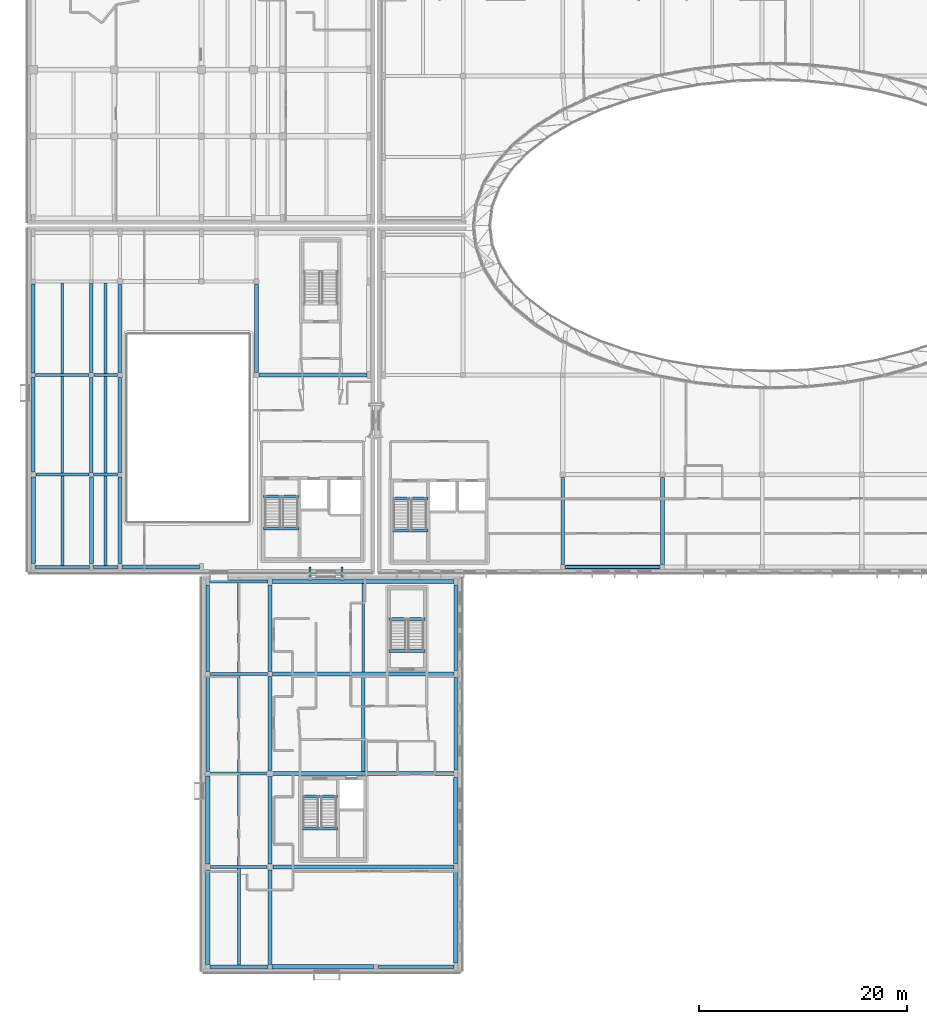
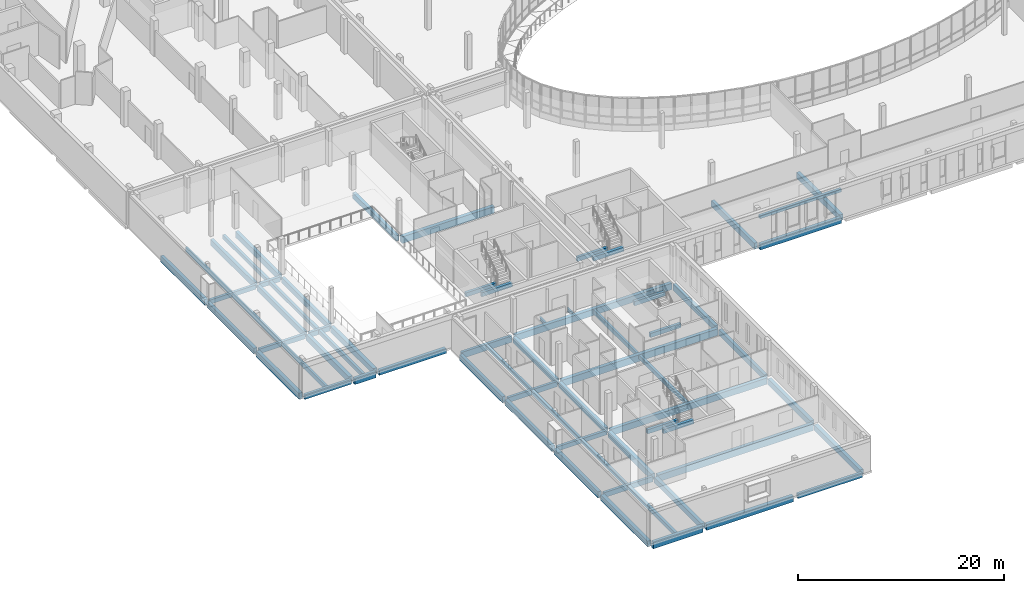
# One storey, part 10 of 84: 67 beams.
"""IFC4 building model written with IfcOpenShell, lengths in metres."""

import ifcopenshell
import ifcopenshell.guid

model = None  # the IFC model being written
_history = None  # IfcOwnerHistory: only IFC2X3 demands one
_inside = {}  # id of a spatial element -> (the spatial element, [elements in it])
_under = {}  # id of a project, library or spatial element -> (it, [spatial elements below it])
_declared = {}  # id of a project -> (the project, [libraries it declares])
_typed = {}  # id of a type object -> (the type object, [elements of that type])
_made_of = {}  # id of a material, layer set ... -> (it, [elements and type objects made of it])


def new_model(schema):
    """Start an empty IFC model of exactly this schema.

    Asked for "IFC4X3", IfcOpenShell would pick the latest addendum, in which some entities
    have other attributes; the version numbers below select the first issue.
    IFC2X3 requires an IfcOwnerHistory on every rooted entity: one is made here for all.
    """
    global model, _history
    if schema == "IFC4X3":
        model = ifcopenshell.file(schema_version=(4, 3, 0, 0))
    else:
        model = ifcopenshell.file(schema=schema)
    _inside.clear()
    _under.clear()
    _declared.clear()
    _typed.clear()
    _made_of.clear()
    _history = None
    if model.schema == "IFC2X3":
        org = make("IfcOrganization", Name="unknown")
        user = make(
            "IfcPersonAndOrganization",
            ThePerson=make("IfcPerson", FamilyName="unknown"),
            TheOrganization=org,
        )
        app = make(
            "IfcApplication",
            ApplicationDeveloper=org,
            Version="unknown",
            ApplicationFullName="unknown",
            ApplicationIdentifier="unknown",
        )
        _history = make(
            "IfcOwnerHistory",
            OwningUser=user,
            OwningApplication=app,
            ChangeAction="ADDED",
            CreationDate=0,
        )
    return model


def make(cls, **values):
    """One entity of the class cls with the attributes given. An attribute that is None is left unset."""
    return model.create_entity(
        cls, **{name: value for name, value in values.items() if value is not None}
    )


def rooted(cls, **values):
    """An entity with a GlobalId (a new one), such as an element, a storey or a relation."""
    return make(cls, GlobalId=ifcopenshell.guid.new(), OwnerHistory=_history, **values)


def si_unit(unit_type, name, prefix=None):
    """IfcSIUnit, for example si_unit("LENGTHUNIT", "METRE", prefix="MILLI")."""
    return make("IfcSIUnit", UnitType=unit_type, Prefix=prefix, Name=name)


def assignment(units):
    """IfcUnitAssignment: the units of a project."""
    return None if units is None else make("IfcUnitAssignment", Units=units)


def point(xyz):
    """IfcCartesianPoint."""
    return None if xyz is None else make("IfcCartesianPoint", Coordinates=xyz)


def direction(xyz):
    """IfcDirection."""
    return None if xyz is None else make("IfcDirection", DirectionRatios=xyz)


def frame(location, z_axis=None, x_axis=None):
    """IfcAxis2Placement3D, a coordinate frame: its origin and axes. An axis left out is left unset."""
    return make(
        "IfcAxis2Placement3D",
        Location=point(location),
        Axis=direction(z_axis),
        RefDirection=direction(x_axis),
    )


def frame_2d(location, x_axis=None):
    """IfcAxis2Placement2D, a coordinate frame in the plane: its origin and x axis."""
    return make(
        "IfcAxis2Placement2D", Location=point(location), RefDirection=direction(x_axis)
    )


def origin():
    """The frame at (0, 0, 0) with its axes left unset."""
    return frame((0.0, 0.0, 0.0))


def origin_2d():
    """The frame at (0, 0) in the plane with its x axis left unset."""
    return frame_2d((0.0, 0.0))


def place(relative_to, where):
    """IfcLocalPlacement: puts the frame where relative to a parent placement (None: the world)."""
    return make(
        "IfcLocalPlacement", PlacementRelTo=relative_to, RelativePlacement=where
    )


def context(
    kind, dimensions, precision=None, world=None, true_north=None, identifier=None
):
    """IfcGeometricRepresentationContext, for example the 3D "Model" context."""
    return make(
        "IfcGeometricRepresentationContext",
        ContextIdentifier=identifier,
        ContextType=kind,
        CoordinateSpaceDimension=dimensions,
        Precision=precision,
        WorldCoordinateSystem=world,
        TrueNorth=true_north,
    )


def subcontext(parent, identifier, kind, view, scale=None):
    """IfcGeometricRepresentationSubContext, for example "Body" below "Model"."""
    return make(
        "IfcGeometricRepresentationSubContext",
        ContextIdentifier=identifier,
        ContextType=kind,
        ParentContext=parent,
        TargetScale=scale,
        TargetView=view,
    )


def project(units=None, contexts=None):
    """IfcProject with its units and contexts."""
    return rooted(
        "IfcProject",
        Name="project",
        RepresentationContexts=contexts,
        UnitsInContext=assignment(units),
    )


def spatial(cls, under=None, at=None, **own):
    """A site, building, storey or space (cls), placed at a placement, below another one or the project."""
    s = rooted(cls, ObjectPlacement=at, **own)
    if under is not None:
        _under.setdefault(under.id(), (under, []))[1].append(s)
    return s


def profile(cls, at=None, kind="AREA", **sizes):
    """A parametric profile (cls). Its sizes go by their IFC names, for example OverallWidth=200.0."""
    return make(cls, ProfileType=kind, Position=at, **sizes)


def rectangle(**sizes):
    """IfcRectangleProfileDef."""
    return profile("IfcRectangleProfileDef", **sizes)


def i_section(**sizes):
    """IfcIShapeProfileDef."""
    return profile("IfcIShapeProfileDef", **sizes)


def extrude(swept, where, along, depth):
    """IfcExtrudedAreaSolid: the profile swept, set in the frame where, extruded along a direction by depth."""
    return make(
        "IfcExtrudedAreaSolid",
        SweptArea=swept,
        Position=where,
        ExtrudedDirection=direction(along),
        Depth=depth,
    )


def shape(context_of_items, identifier, shape_type, items):
    """IfcShapeRepresentation: the items that make up one representation, for example the "Body"."""
    return make(
        "IfcShapeRepresentation",
        ContextOfItems=context_of_items,
        RepresentationIdentifier=identifier,
        RepresentationType=shape_type,
        Items=items,
    )


def material(Name=None, Category=None):
    """IfcMaterial."""
    return make("IfcMaterial", Name=Name, Category=Category)


def material_profile(
    of_material, cross_section, Name=None, Category=None, Priority=None
):
    """IfcMaterialProfile: a cross section and its material."""
    return make(
        "IfcMaterialProfile",
        Name=Name,
        Material=of_material,
        Profile=cross_section,
        Priority=Priority,
        Category=Category,
    )


def profile_set(profiles, Name=None, composite=None):
    """IfcMaterialProfileSet."""
    return make(
        "IfcMaterialProfileSet",
        Name=Name,
        MaterialProfiles=profiles,
        CompositeProfile=composite,
    )


def made_of(thing, what):
    """Note that an element or type object is made of a material, layer set ...; save() writes the relation."""
    if what is not None:
        _made_of.setdefault(what.id(), (what, []))[1].append(thing)
    return thing


def type_object(cls, material=None, **own):
    """A type object (cls), such as IfcWallType, which elements share."""
    return made_of(rooted(cls, **own), material)


def element(
    cls,
    number,
    at=None,
    inside=None,
    cuts=None,
    type_object=None,
    material=None,
    context=None,
    identifier="Body",
    shape_type=None,
    held_by="IfcProductDefinitionShape",
    body=None,
    shapes=None,
    **own,
):
    """One element of the class cls, such as IfcWall. Its Tag is "e" and its number.

    at: its placement. inside: the storey or other place that contains it. cuts: it is an
    opening in that element (IfcRelVoidsElement). A single representation is given by context,
    identifier, shape_type and body (its items); several are given by shapes. held_by: the class
    of the entity that holds the representations. save() writes the other relations.
    """
    e = rooted(cls, Tag="e%d" % number, ObjectPlacement=at, **own)
    if body is not None:
        shapes = [shape(context, identifier, shape_type, body)]
    if shapes is not None:
        e.Representation = make(held_by, Representations=shapes)
    if inside is not None:
        _inside.setdefault(inside.id(), (inside, []))[1].append(e)
    if cuts is not None:
        rooted(
            "IfcRelVoidsElement", RelatingBuildingElement=cuts, RelatedOpeningElement=e
        )
    if type_object is not None:
        _typed.setdefault(type_object.id(), (type_object, []))[1].append(e)
    return made_of(e, material)


def aggregate(whole, parts):
    """IfcRelAggregates: a whole, such as a stair, and the parts it consists of."""
    return rooted("IfcRelAggregates", RelatingObject=whole, RelatedObjects=parts)


def save(model, path):
    """Write the relations noted so far, then the file.

    IfcRelAggregates (storeys below a building ...), IfcRelContainedInSpatialStructure (elements
    in a storey), IfcRelDefinesByType, IfcRelAssociatesMaterial and IfcRelDeclares: one each for
    every whole, place, type object, material and project.
    """
    for whole, parts in _under.values():
        aggregate(whole, parts)
    for where, things in _inside.values():
        rooted(
            "IfcRelContainedInSpatialStructure",
            RelatedElements=things,
            RelatingStructure=where,
        )
    for kind, things in _typed.values():
        rooted("IfcRelDefinesByType", RelatedObjects=things, RelatingType=kind)
    for what, things in _made_of.values():
        rooted("IfcRelAssociatesMaterial", RelatedObjects=things, RelatingMaterial=what)
    for by, libraries in _declared.values():
        rooted("IfcRelDeclares", RelatingContext=by, RelatedDefinitions=libraries)
    model.write(path)


model = new_model("IFC4")

# Units and contexts
model_context = context("Model", 3, precision=1e-05, world=origin(), true_north=direction((0.0, 1.0)))
body_context = subcontext(model_context, "Body", "Model", "MODEL_VIEW")
ifc_project = project(units=[si_unit("LENGTHUNIT", "METRE"), si_unit("AREAUNIT", "SQUARE_METRE"), si_unit("VOLUMEUNIT", "CUBIC_METRE"), si_unit("PLANEANGLEUNIT", "RADIAN"), si_unit("MASSUNIT", "GRAM", prefix="KILO")], contexts=[model_context])

# Site, building, storey
site_placement = place(None, origin())
site = spatial("IfcSite", under=ifc_project, at=site_placement, CompositionType="ELEMENT")
building_placement = place(site_placement, origin())
building = spatial("IfcBuilding", under=site, at=building_placement, Name="Mzevani Central Library", CompositionType="ELEMENT")
storey_placement = place(building_placement, frame((0.0, 0.0, 5.39990234375)))
storey = spatial("IfcBuildingStorey", under=building, at=storey_placement, Name="L01", CompositionType="ELEMENT", Elevation=5.39990234375)

# Beams
ifc_material_1 = material(Name="Concrete C35/45", Category="concrete")
ifc_material_profile_1 = material_profile(ifc_material_1, rectangle(XDim=0.300048828125, YDim=0.5, at=origin_2d()), Name="RC B300x500")
ifc_profile_set_1 = profile_set([ifc_material_profile_1], Name="Concrete C35/45")
beam_type_1 = type_object("IfcBeamType", Name="Beam RC 300x500", PredefinedType="BEAM", material=ifc_profile_set_1)
beam_1_placement = place(storey_placement, frame((30.02490234375, 23.199951171875, -0.510009765625), z_axis=(1.0, 0.0, 0.0), x_axis=(0.0, 1.0, 0.0)))
element("IfcBeam", 1, at=beam_1_placement, inside=storey, type_object=beam_type_1, Name="L01 V4 Girder B-01 (812)", PredefinedType="BEAM", context=body_context, shape_type="SweptSolid", body=[
    extrude(rectangle(XDim=0.300048828125, YDim=0.5, at=origin_2d()), origin(), (0.0, 0.0, 1.0), 5.5751953125),
])
beam_2_placement = place(storey_placement, frame((13.199951171875, 61.60009765625, -0.510009765625), z_axis=(1.0, 0.0, 0.0), x_axis=(0.0, 1.0, 0.0)))
element("IfcBeam", 2, at=beam_2_placement, inside=storey, type_object=beam_type_1, Name="L01 V5 Girder B-01 (936)", PredefinedType="BEAM", context=body_context, shape_type="SweptSolid", body=[
    extrude(rectangle(XDim=0.300048828125, YDim=0.5, at=origin_2d()), origin(), (0.0, 0.0, 1.0), 5.150146484375),
])
for number, where, z_axis, x_axis, name in (
    (3, (47.580078125, 46.6201171875, 1.650146484375), (1.0, 0.0, 0.0), (0.0, 1.0, 0.0), "L01 Core C1A Reading Hall West Stair Landing Beam 1"),
    (4, (47.580078125, 49.699951171875, -0.25), (1.0, 0.0, 0.0), (0.0, 1.0, 0.0), "L01 Core C1A Reading Hall West Stair Opening Trimmer Beam"),
):
    element("IfcBeam", number, at=place(storey_placement, frame(where, z_axis=z_axis, x_axis=x_axis)), inside=storey, type_object=beam_type_1, Name=name, PredefinedType="BEAM", context=body_context, shape_type="SweptSolid", body=[
        extrude(rectangle(XDim=0.300048828125, YDim=0.5, at=origin_2d()), origin(), (0.0, 0.0, 1.0), 3.43994140625),
    ])
for number, where, z_axis, x_axis, name in (
    (5, (38.8798828125, 17.919921875, 1.650146484375), (1.0, 0.0, 0.0), (0.0, 1.0, 0.0), "L01 Core C4A Cultural Wing Core Stair Landing Beam 1"),
    (6, (38.8798828125, 21.0, -0.25), (1.0, 0.0, 0.0), (0.0, 1.0, 0.0), "L01 Core C4A Cultural Wing Core Stair Opening Trimmer Beam"),
):
    element("IfcBeam", number, at=place(storey_placement, frame(where, z_axis=z_axis, x_axis=x_axis)), inside=storey, type_object=beam_type_1, Name=name, PredefinedType="BEAM", context=body_context, shape_type="SweptSolid", body=[
        extrude(rectangle(XDim=0.300048828125, YDim=0.5, at=origin_2d()), origin(), (0.0, 0.0, 1.0), 3.440185546875),
    ])
for number, where, z_axis, x_axis, name in (
    (7, (47.280029296875, 38.080078125, 1.650146484375), (1.0, 0.0, 0.0), (0.0, 1.0, 0.0), "L01 Core C4B Square South Escape Stair Stair Landing Beam 1"),
    (8, (47.280029296875, 35.0, -0.25), (1.0, 0.0, 0.0), (0.0, 1.0, 0.0), "L01 Core C4B Square South Escape Stair Stair Opening Trimmer Beam"),
):
    element("IfcBeam", number, at=place(storey_placement, frame(where, z_axis=z_axis, x_axis=x_axis)), inside=storey, type_object=beam_type_1, Name=name, PredefinedType="BEAM", context=body_context, shape_type="SweptSolid", body=[
        extrude(rectangle(XDim=0.300048828125, YDim=0.5, at=origin_2d()), origin(), (0.0, 0.0, 1.0), 3.43994140625),
    ])
for number, where, z_axis, x_axis, name in (
    (9, (35.179931640625, 46.820068359375, 1.650146484375), (1.0, 0.0, 0.0), (0.0, 1.0, 0.0), "L01 Core C5A Auditorium & Goods Core Stair Landing Beam 1"),
    (10, (35.179931640625, 49.89990234375, -0.25), (1.0, 0.0, 0.0), (0.0, 1.0, 0.0), "L01 Core C5A Auditorium & Goods Core Stair Opening Trimmer Beam"),
):
    element("IfcBeam", number, at=place(storey_placement, frame(where, z_axis=z_axis, x_axis=x_axis)), inside=storey, type_object=beam_type_1, Name=name, PredefinedType="BEAM", context=body_context, shape_type="SweptSolid", body=[
        extrude(rectangle(XDim=0.300048828125, YDim=0.5, at=origin_2d()), origin(), (0.0, 0.0, 1.0), 3.440185546875),
    ])
ifc_material_profile_2 = material_profile(ifc_material_1, rectangle(XDim=0.300048828125, YDim=0.550048828125, at=origin_2d()), Name="RC B300x550")
ifc_profile_set_2 = profile_set([ifc_material_profile_2], Name="Concrete C35/45")
beam_type_2 = type_object("IfcBeamType", Name="Beam RC 300x550", PredefinedType="BEAM", material=ifc_profile_set_2)
beam_3_placement = place(storey_placement, frame((46.25, 4.60009765625, -0.534912109375), z_axis=(1.0, 0.0, 0.0), x_axis=(0.0, 1.0, 0.0)))
element("IfcBeam", 11, at=beam_3_placement, inside=storey, type_object=beam_type_2, Name="L01 V4 Girder B-02 (809)", PredefinedType="BEAM", context=body_context, shape_type="SweptSolid", body=[
    extrude(rectangle(XDim=0.300048828125, YDim=0.550048828125, at=origin_2d()), origin(), (0.0, 0.0, 1.0), 7.27490234375),
])
beam_4_placement = place(storey_placement, frame((13.175048828125, 43.10009765625, -0.534912109375), z_axis=(1.0, 0.0, 0.0), x_axis=(0.0, 1.0, 0.0)))
element("IfcBeam", 12, at=beam_4_placement, inside=storey, type_object=beam_type_2, Name="L01 V5 Girder B-02 (929)", PredefinedType="BEAM", context=body_context, shape_type="SweptSolid", body=[
    extrude(rectangle(XDim=0.300048828125, YDim=0.550048828125, at=origin_2d()), origin(), (0.0, 0.0, 1.0), 5.25),
])
beam_5_placement = place(storey_placement, frame((13.25, 52.0, -0.534912109375), z_axis=(1.0, 0.0, 0.0), x_axis=(0.0, 1.0, 0.0)))
element("IfcBeam", 13, at=beam_5_placement, inside=storey, type_object=beam_type_2, Name="L01 V5 Girder B-02 (933)", PredefinedType="BEAM", context=body_context, shape_type="SweptSolid", body=[
    extrude(rectangle(XDim=0.300048828125, YDim=0.550048828125, at=origin_2d()), origin(), (0.0, 0.0, 1.0), 5.125),
])
beam_6_placement = place(storey_placement, frame((18.85009765625, 61.60009765625, -0.534912109375), z_axis=(1.0, 0.0, 0.0), x_axis=(0.0, 1.0, 0.0)))
element("IfcBeam", 14, at=beam_6_placement, inside=storey, type_object=beam_type_2, Name="L01 V5 Girder B-02 (937)", PredefinedType="BEAM", context=body_context, shape_type="SweptSolid", body=[
    extrude(rectangle(XDim=0.300048828125, YDim=0.550048828125, at=origin_2d()), origin(), (0.0, 0.0, 1.0), 2.25),
])
ifc_material_profile_3 = material_profile(ifc_material_1, rectangle(XDim=0.300048828125, YDim=0.60009765625, at=origin_2d()), Name="RC B300x600")
ifc_profile_set_3 = profile_set([ifc_material_profile_3], Name="Concrete C35/45")
beam_type_3 = type_object("IfcBeamType", Name="Beam RC 300x600", PredefinedType="BEAM", material=ifc_profile_set_3)
beam_7_placement = place(storey_placement, frame((30.074951171875, 14.199951171875, -0.559814453125), z_axis=(1.0, 0.0, 0.0), x_axis=(0.0, 1.0, 0.0)))
element("IfcBeam", 15, at=beam_7_placement, inside=storey, type_object=beam_type_3, Name="L01 V4 Girder B-03 (810)", PredefinedType="BEAM", context=body_context, shape_type="SweptSolid", body=[
    extrude(rectangle(XDim=0.300048828125, YDim=0.60009765625, at=origin_2d()), origin(), (0.0, 0.0, 1.0), 5.449951171875),
])
beam_8_placement = place(storey_placement, frame((30.050048828125, 32.800048828125, -0.559814453125), z_axis=(1.0, 0.0, 0.0), x_axis=(0.0, 1.0, 0.0)))
element("IfcBeam", 16, at=beam_8_placement, inside=storey, type_object=beam_type_3, Name="L01 V4 Girder B-03 (814)", PredefinedType="BEAM", context=body_context, shape_type="SweptSolid", body=[
    extrude(rectangle(XDim=0.300048828125, YDim=0.60009765625, at=origin_2d()), origin(), (0.0, 0.0, 1.0), 5.5),
])
beam_9_placement = place(storey_placement, frame((18.824951171875, 52.0, -0.559814453125), z_axis=(1.0, 0.0, 0.0), x_axis=(0.0, 1.0, 0.0)))
element("IfcBeam", 17, at=beam_9_placement, inside=storey, type_object=beam_type_3, Name="L01 V5 Girder B-03 (934)", PredefinedType="BEAM", context=body_context, shape_type="SweptSolid", body=[
    extrude(rectangle(XDim=0.300048828125, YDim=0.60009765625, at=origin_2d()), origin(), (0.0, 0.0, 1.0), 2.300048828125),
])
ifc_material_profile_4 = material_profile(ifc_material_1, rectangle(XDim=0.35009765625, YDim=0.60009765625, at=origin_2d()), Name="RC B350x600")
ifc_profile_set_4 = profile_set([ifc_material_profile_4], Name="Concrete C35/45")
beam_type_4 = type_object("IfcBeamType", Name="Beam RC 350x600", PredefinedType="BEAM", material=ifc_profile_set_4)
beam_10_placement = place(storey_placement, frame((21.52490234375, 43.10009765625, -0.559814453125), z_axis=(1.0, 0.0, 0.0), x_axis=(0.0, 1.0, 0.0)))
element("IfcBeam", 18, at=beam_10_placement, inside=storey, type_object=beam_type_4, Name="L01 V5 Girder B-04 (931)", PredefinedType="BEAM", context=body_context, shape_type="SweptSolid", body=[
    extrude(rectangle(XDim=0.35009765625, YDim=0.60009765625, at=origin_2d()), origin(), (0.0, 0.0, 1.0), 7.5),
])
ifc_material_profile_5 = material_profile(ifc_material_1, rectangle(XDim=0.35009765625, YDim=0.64990234375, at=origin_2d()), Name="RC B350x650")
ifc_profile_set_5 = profile_set([ifc_material_profile_5], Name="Concrete C35/45")
beam_type_5 = type_object("IfcBeamType", Name="Beam RC 350x650", PredefinedType="BEAM", material=ifc_profile_set_5)
beam_11_placement = place(storey_placement, frame((29.800048828125, 23.425048828125, -0.5849609375), z_axis=(0.0, 1.0, 0.0), x_axis=(-1.0, 0.0, 0.0)))
element("IfcBeam", 19, at=beam_11_placement, inside=storey, type_object=beam_type_5, Name="L01 V4 Frame Beam B-05 (820)", PredefinedType="BEAM", context=body_context, shape_type="SweptSolid", body=[
    extrude(rectangle(XDim=0.35009765625, YDim=0.64990234375, at=origin_2d()), origin(), (0.0, 0.0, 1.0), 9.125),
])
beam_12_placement = place(storey_placement, frame((35.800048828125, 23.5, -0.5849609375), z_axis=(0.0, 1.0, 0.0), x_axis=(-1.0, 0.0, 0.0)))
element("IfcBeam", 20, at=beam_12_placement, inside=storey, type_object=beam_type_5, Name="L01 V4 Frame Beam B-05 (824)", PredefinedType="BEAM", context=body_context, shape_type="SweptSolid", body=[
    extrude(rectangle(XDim=0.35009765625, YDim=0.64990234375, at=origin_2d()), origin(), (0.0, 0.0, 1.0), 9.050048828125),
])
beam_13_placement = place(storey_placement, frame((53.699951171875, 23.550048828125, -0.5849609375), z_axis=(0.0, 1.0, 0.0), x_axis=(-1.0, 0.0, 0.0)))
element("IfcBeam", 21, at=beam_13_placement, inside=storey, type_object=beam_type_5, Name="L01 V4 Frame Beam B-05 (828)", PredefinedType="BEAM", context=body_context, shape_type="SweptSolid", body=[
    extrude(rectangle(XDim=0.35009765625, YDim=0.64990234375, at=origin_2d()), origin(), (0.0, 0.0, 1.0), 8.89990234375),
])
beam_14_placement = place(storey_placement, frame((13.0, 52.25, -0.5849609375), z_axis=(0.0, 1.0, 0.0), x_axis=(-1.0, 0.0, 0.0)))
element("IfcBeam", 22, at=beam_14_placement, inside=storey, type_object=beam_type_5, Name="L01 V5 Frame Beam B-05 (956)", PredefinedType="BEAM", context=body_context, shape_type="SweptSolid", body=[
    extrude(rectangle(XDim=0.35009765625, YDim=0.64990234375, at=origin_2d()), origin(), (0.0, 0.0, 1.0), 9.14990234375),
])
for number, where, z_axis, x_axis, name in (
    (23, (18.60009765625, 52.22509765625, -0.5849609375), (0.0, 1.0, 0.0), (-1.0, 0.0, 0.0), "L01 V5 Frame Beam B-05 (960)"),
    (24, (21.35009765625, 52.22509765625, -0.5849609375), (0.0, 1.0, 0.0), (-1.0, 0.0, 0.0), "L01 V5 Frame Beam B-05 (964)"),
):
    element("IfcBeam", number, at=place(storey_placement, frame(where, z_axis=z_axis, x_axis=x_axis)), inside=storey, type_object=beam_type_5, Name=name, PredefinedType="BEAM", context=body_context, shape_type="SweptSolid", body=[
        extrude(rectangle(XDim=0.35009765625, YDim=0.64990234375, at=origin_2d()), origin(), (0.0, 0.0, 1.0), 9.125),
    ])
beam_15_placement = place(storey_placement, frame((34.5, 61.85009765625, -0.5849609375), z_axis=(0.0, 1.0, 0.0), x_axis=(-1.0, 0.0, 0.0)))
element("IfcBeam", 25, at=beam_15_placement, inside=storey, type_object=beam_type_5, Name="L01 V5 Frame Beam B-05 (968)", PredefinedType="BEAM", context=body_context, shape_type="SweptSolid", body=[
    extrude(rectangle(XDim=0.35009765625, YDim=0.64990234375, at=origin_2d()), origin(), (0.0, 0.0, 1.0), 8.474853515625),
])
ifc_material_profile_6 = material_profile(ifc_material_1, rectangle(XDim=0.35009765625, YDim=0.699951171875, at=origin_2d()), Name="RC B350x700")
ifc_profile_set_6 = profile_set([ifc_material_profile_6], Name="Concrete C35/45")
beam_type_6 = type_object("IfcBeamType", Name="Beam RC 350x700", PredefinedType="BEAM", material=ifc_profile_set_6)
beam_16_placement = place(storey_placement, frame((64.25, 43.10009765625, -0.60986328125), z_axis=(1.0, 0.0, 0.0), x_axis=(0.0, 1.0, 0.0)))
element("IfcBeam", 26, at=beam_16_placement, inside=storey, type_object=beam_type_6, Name="L01 V1 Girder B-06 (1)", PredefinedType="BEAM", context=body_context, shape_type="SweptSolid", body=[
    extrude(rectangle(XDim=0.35009765625, YDim=0.699951171875, at=origin_2d()), origin(), (0.0, 0.0, 1.0), 9.10009765625),
])
beam_17_placement = place(storey_placement, frame((64.0, 43.35009765625, -0.60986328125), z_axis=(0.0, 1.0, 0.0), x_axis=(-1.0, 0.0, 0.0)))
element("IfcBeam", 27, at=beam_17_placement, inside=storey, type_object=beam_type_6, Name="L01 V1 Frame Beam B-06 (45)", PredefinedType="BEAM", context=body_context, shape_type="SweptSolid", body=[
    extrude(rectangle(XDim=0.35009765625, YDim=0.699951171875, at=origin_2d()), origin(), (0.0, 0.0, 1.0), 8.375),
])
for number, where, z_axis, x_axis, name in (
    (28, (29.800048828125, 33.050048828125, -0.60986328125), (0.0, 1.0, 0.0), (-1.0, 0.0, 0.0), "L01 V4 Frame Beam B-06 (821)"),
    (29, (35.800048828125, 33.050048828125, -0.60986328125), (0.0, 1.0, 0.0), (-1.0, 0.0, 0.0), "L01 V4 Frame Beam B-06 (825)"),
):
    element("IfcBeam", number, at=place(storey_placement, frame(where, z_axis=z_axis, x_axis=x_axis)), inside=storey, type_object=beam_type_6, Name=name, PredefinedType="BEAM", context=body_context, shape_type="SweptSolid", body=[
        extrude(rectangle(XDim=0.35009765625, YDim=0.699951171875, at=origin_2d()), origin(), (0.0, 0.0, 1.0), 8.300048828125),
    ])
beam_18_placement = place(storey_placement, frame((53.699951171875, 33.14990234375, -0.60986328125), z_axis=(0.0, 1.0, 0.0), x_axis=(-1.0, 0.0, 0.0)))
element("IfcBeam", 30, at=beam_18_placement, inside=storey, type_object=beam_type_6, Name="L01 V4 Frame Beam B-06 (829)", PredefinedType="BEAM", context=body_context, shape_type="SweptSolid", body=[
    extrude(rectangle(XDim=0.35009765625, YDim=0.699951171875, at=origin_2d()), origin(), (0.0, 0.0, 1.0), 8.2001953125),
])
beam_19_placement = place(storey_placement, frame((13.0, 61.800048828125, -0.60986328125), z_axis=(0.0, 1.0, 0.0), x_axis=(-1.0, 0.0, 0.0)))
element("IfcBeam", 31, at=beam_19_placement, inside=storey, type_object=beam_type_6, Name="L01 V5 Frame Beam B-06 (957)", PredefinedType="BEAM", context=body_context, shape_type="SweptSolid", body=[
    extrude(rectangle(XDim=0.35009765625, YDim=0.699951171875, at=origin_2d()), origin(), (0.0, 0.0, 1.0), 8.574951171875),
])
beam_20_placement = place(storey_placement, frame((18.60009765625, 61.85009765625, -0.60986328125), z_axis=(0.0, 1.0, 0.0), x_axis=(-1.0, 0.0, 0.0)))
element("IfcBeam", 32, at=beam_20_placement, inside=storey, type_object=beam_type_6, Name="L01 V5 Frame Beam B-06 (961)", PredefinedType="BEAM", context=body_context, shape_type="SweptSolid", body=[
    extrude(rectangle(XDim=0.35009765625, YDim=0.699951171875, at=origin_2d()), origin(), (0.0, 0.0, 1.0), 8.5498046875),
])
beam_21_placement = place(storey_placement, frame((21.35009765625, 61.85009765625, -0.60986328125), z_axis=(0.0, 1.0, 0.0), x_axis=(-1.0, 0.0, 0.0)))
element("IfcBeam", 33, at=beam_21_placement, inside=storey, type_object=beam_type_6, Name="L01 V5 Frame Beam B-06 (965)", PredefinedType="BEAM", context=body_context, shape_type="SweptSolid", body=[
    extrude(rectangle(XDim=0.35009765625, YDim=0.699951171875, at=origin_2d()), origin(), (0.0, 0.0, 1.0), 8.474853515625),
])
ifc_material_profile_7 = material_profile(ifc_material_1, rectangle(XDim=0.39990234375, YDim=0.64990234375, at=origin_2d()), Name="RC B400x650")
ifc_profile_set_7 = profile_set([ifc_material_profile_7], Name="Concrete C35/45")
beam_type_7 = type_object("IfcBeamType", Name="Beam RC 400x650", PredefinedType="BEAM", material=ifc_profile_set_7)
beam_22_placement = place(storey_placement, frame((29.800048828125, 4.824951171875, -0.5849609375), z_axis=(0.0, 1.0, 0.0), x_axis=(-1.0, 0.0, 0.0)))
element("IfcBeam", 34, at=beam_22_placement, inside=storey, type_object=beam_type_7, Name="L01 V4 Frame Beam B-07 (818)", PredefinedType="BEAM", context=body_context, shape_type="SweptSolid", body=[
    extrude(rectangle(XDim=0.39990234375, YDim=0.64990234375, at=origin_2d()), origin(), (0.0, 0.0, 1.0), 9.10009765625),
])
beam_23_placement = place(storey_placement, frame((35.800048828125, 4.800048828125, -0.5849609375), z_axis=(0.0, 1.0, 0.0), x_axis=(-1.0, 0.0, 0.0)))
element("IfcBeam", 35, at=beam_23_placement, inside=storey, type_object=beam_type_7, Name="L01 V4 Frame Beam B-07 (822)", PredefinedType="BEAM", context=body_context, shape_type="SweptSolid", body=[
    extrude(rectangle(XDim=0.39990234375, YDim=0.64990234375, at=origin_2d()), origin(), (0.0, 0.0, 1.0), 9.125),
])
beam_24_placement = place(storey_placement, frame((53.699951171875, 4.949951171875, -0.5849609375), z_axis=(0.0, 1.0, 0.0), x_axis=(-1.0, 0.0, 0.0)))
element("IfcBeam", 36, at=beam_24_placement, inside=storey, type_object=beam_type_7, Name="L01 V4 Frame Beam B-07 (826)", PredefinedType="BEAM", context=body_context, shape_type="SweptSolid", body=[
    extrude(rectangle(XDim=0.39990234375, YDim=0.64990234375, at=origin_2d()), origin(), (0.0, 0.0, 1.0), 8.900146484375),
])
ifc_material_profile_8 = material_profile(ifc_material_1, rectangle(XDim=0.39990234375, YDim=0.699951171875, at=origin_2d()), Name="RC B400x700")
ifc_profile_set_8 = profile_set([ifc_material_profile_8], Name="Concrete C35/45")
beam_type_8 = type_object("IfcBeamType", Name="Beam RC 400x700", PredefinedType="BEAM", material=ifc_profile_set_8)
beam_25_placement = place(storey_placement, frame((73.60009765625, 43.35009765625, -0.60986328125), z_axis=(0.0, 1.0, 0.0), x_axis=(-1.0, 0.0, 0.0)))
element("IfcBeam", 37, at=beam_25_placement, inside=storey, type_object=beam_type_8, Name="L01 V1 Frame Beam B-08 (47)", PredefinedType="BEAM", context=body_context, shape_type="SweptSolid", body=[
    extrude(rectangle(XDim=0.39990234375, YDim=0.699951171875, at=origin_2d()), origin(), (0.0, 0.0, 1.0), 8.375),
])
beam_26_placement = place(storey_placement, frame((36.0, 4.60009765625, -0.60986328125), z_axis=(1.0, 0.0, 0.0), x_axis=(0.0, 1.0, 0.0)))
element("IfcBeam", 38, at=beam_26_placement, inside=storey, type_object=beam_type_8, Name="L01 V4 Girder B-08 (808)", PredefinedType="BEAM", context=body_context, shape_type="SweptSolid", body=[
    extrude(rectangle(XDim=0.39990234375, YDim=0.699951171875, at=origin_2d()), origin(), (0.0, 0.0, 1.0), 9.75),
])
beam_27_placement = place(storey_placement, frame((29.800048828125, 14.47509765625, -0.60986328125), z_axis=(0.0, 1.0, 0.0), x_axis=(-1.0, 0.0, 0.0)))
element("IfcBeam", 39, at=beam_27_placement, inside=storey, type_object=beam_type_8, Name="L01 V4 Frame Beam B-08 (819)", PredefinedType="BEAM", context=body_context, shape_type="SweptSolid", body=[
    extrude(rectangle(XDim=0.39990234375, YDim=0.699951171875, at=origin_2d()), origin(), (0.0, 0.0, 1.0), 8.5),
])
beam_28_placement = place(storey_placement, frame((35.800048828125, 14.47509765625, -0.60986328125), z_axis=(0.0, 1.0, 0.0), x_axis=(-1.0, 0.0, 0.0)))
element("IfcBeam", 40, at=beam_28_placement, inside=storey, type_object=beam_type_8, Name="L01 V4 Frame Beam B-08 (823)", PredefinedType="BEAM", context=body_context, shape_type="SweptSolid", body=[
    extrude(rectangle(XDim=0.39990234375, YDim=0.699951171875, at=origin_2d()), origin(), (0.0, 0.0, 1.0), 8.4248046875),
])
for number, where, z_axis, x_axis, name in (
    (41, (53.699951171875, 14.550048828125, -0.60986328125), (0.0, 1.0, 0.0), (-1.0, 0.0, 0.0), "L01 V4 Frame Beam B-08 (827)"),
    (42, (13.0, 43.449951171875, -0.60986328125), (0.0, 1.0, 0.0), (-1.0, 0.0, 0.0), "L01 V5 Frame Beam B-08 (955)"),
):
    element("IfcBeam", number, at=place(storey_placement, frame(where, z_axis=z_axis, x_axis=x_axis)), inside=storey, type_object=beam_type_8, Name=name, PredefinedType="BEAM", context=body_context, shape_type="SweptSolid", body=[
        extrude(rectangle(XDim=0.39990234375, YDim=0.699951171875, at=origin_2d()), origin(), (0.0, 0.0, 1.0), 8.300048828125),
    ])
for number, where, z_axis, x_axis, name in (
    (43, (18.60009765625, 43.449951171875, -0.60986328125), (0.0, 1.0, 0.0), (-1.0, 0.0, 0.0), "L01 V5 Frame Beam B-08 (959)"),
    (44, (21.35009765625, 43.449951171875, -0.60986328125), (0.0, 1.0, 0.0), (-1.0, 0.0, 0.0), "L01 V5 Frame Beam B-08 (963)"),
):
    element("IfcBeam", number, at=place(storey_placement, frame(where, z_axis=z_axis, x_axis=x_axis)), inside=storey, type_object=beam_type_8, Name=name, PredefinedType="BEAM", context=body_context, shape_type="SweptSolid", body=[
        extrude(rectangle(XDim=0.39990234375, YDim=0.699951171875, at=origin_2d()), origin(), (0.0, 0.0, 1.0), 8.324951171875),
    ])
ifc_material_profile_9 = material_profile(ifc_material_1, rectangle(XDim=0.39990234375, YDim=0.75, at=origin_2d()), Name="RC B400x750")
ifc_profile_set_9 = profile_set([ifc_material_profile_9], Name="Concrete C35/45")
beam_type_9 = type_object("IfcBeamType", Name="Beam RC 400x750", PredefinedType="BEAM", material=ifc_profile_set_9)
beam_29_placement = place(storey_placement, frame((36.0, 23.199951171875, -0.635009765625), z_axis=(1.0, 0.0, 0.0), x_axis=(0.0, 1.0, 0.0)))
element("IfcBeam", 45, at=beam_29_placement, inside=storey, type_object=beam_type_9, Name="L01 V4 Girder B-09 (813)", PredefinedType="BEAM", context=body_context, shape_type="SweptSolid", body=[
    extrude(rectangle(XDim=0.39990234375, YDim=0.75, at=origin_2d()), origin(), (0.0, 0.0, 1.0), 17.52490234375),
])
beam_30_placement = place(storey_placement, frame((35.97509765625, 41.699951171875, -0.635009765625), z_axis=(1.0, 0.0, 0.0), x_axis=(0.0, 1.0, 0.0)))
element("IfcBeam", 46, at=beam_30_placement, inside=storey, type_object=beam_type_9, Name="L01 V4 Girder B-09 (817)", PredefinedType="BEAM", context=body_context, shape_type="SweptSolid", body=[
    extrude(rectangle(XDim=0.39990234375, YDim=0.75, at=origin_2d()), origin(), (0.0, 0.0, 1.0), 17.5498046875),
])
ifc_material_profile_10 = material_profile(ifc_material_1, rectangle(XDim=0.39990234375, YDim=0.800048828125, at=origin_2d()), Name="RC B400x800")
ifc_profile_set_10 = profile_set([ifc_material_profile_10], Name="Concrete C35/45")
beam_type_10 = type_object("IfcBeamType", Name="Beam RC 400x800", PredefinedType="BEAM", material=ifc_profile_set_10)
beam_31_placement = place(storey_placement, frame((36.074951171875, 14.199951171875, -0.659912109375), z_axis=(1.0, 0.0, 0.0), x_axis=(0.0, 1.0, 0.0)))
element("IfcBeam", 47, at=beam_31_placement, inside=storey, type_object=beam_type_10, Name="L01 V4 Girder B-10 (811)", PredefinedType="BEAM", context=body_context, shape_type="SweptSolid", body=[
    extrude(rectangle(XDim=0.39990234375, YDim=0.800048828125, at=origin_2d()), origin(), (0.0, 0.0, 1.0), 17.449951171875),
])
beam_32_placement = place(storey_placement, frame((36.050048828125, 32.800048828125, -0.659912109375), z_axis=(1.0, 0.0, 0.0), x_axis=(0.0, 1.0, 0.0)))
element("IfcBeam", 48, at=beam_32_placement, inside=storey, type_object=beam_type_10, Name="L01 V4 Girder B-10 (815)", PredefinedType="BEAM", context=body_context, shape_type="SweptSolid", body=[
    extrude(rectangle(XDim=0.39990234375, YDim=0.800048828125, at=origin_2d()), origin(), (0.0, 0.0, 1.0), 17.474853515625),
])
beam_33_placement = place(storey_placement, frame((34.75, 61.60009765625, -0.659912109375), z_axis=(1.0, 0.0, 0.0), x_axis=(0.0, 1.0, 0.0)))
element("IfcBeam", 49, at=beam_33_placement, inside=storey, type_object=beam_type_10, Name="L01 V5 Girder B-10 (939)", PredefinedType="BEAM", context=body_context, shape_type="SweptSolid", body=[
    extrude(rectangle(XDim=0.39990234375, YDim=0.800048828125, at=origin_2d()), origin(), (0.0, 0.0, 1.0), 10.375),
])
ifc_material_2 = material(Name="Steel S355J2", Category="steel")
ifc_material_profile_11 = material_profile(ifc_material_2, i_section(OverallWidth=0.179931640625, OverallDepth=0.39990234375, WebThickness=0.008544921875, FlangeThickness=0.013427734375, FilletRadius=0.02099609375, at=origin_2d()), Name="IPE 400")
ifc_profile_set_11 = profile_set([ifc_material_profile_11], Name="Steel S355J2")
beam_type_11 = type_object("IfcBeamType", Name="Bridge Edge Beam IPE 400", PredefinedType="BEAM", material=ifc_profile_set_11)
for number, where, z_axis, x_axis, name in (
    (50, (39.64990234375, 41.699951171875, -0.52490234375), (0.0, 1.0, 0.0), (-1.0, 0.0, 0.0), "L01 Cultural-Auditorium Seismic Passage L01 Girder 1"),
    (51, (42.75, 41.699951171875, -0.52490234375), (0.0, 1.0, 0.0), (-1.0, 0.0, 0.0), "L01 Cultural-Auditorium Seismic Passage L01 Girder 2"),
):
    element("IfcBeam", number, at=place(storey_placement, frame(where, z_axis=z_axis, x_axis=x_axis)), inside=storey, type_object=beam_type_11, Name=name, PredefinedType="BEAM", context=body_context, shape_type="SweptSolid", body=[
        extrude(i_section(OverallWidth=0.179931640625, OverallDepth=0.39990234375, WebThickness=0.008544921875, FlangeThickness=0.013427734375, FilletRadius=0.02099609375, at=origin_2d()), origin(), (0.0, 0.0, 1.0), 1.400146484375),
    ])
ifc_material_3 = material(Name="Precast concrete C40/50", Category="concrete")
ifc_material_profile_12 = material_profile(ifc_material_3, rectangle(XDim=0.35009765625, YDim=0.800048828125, at=origin_2d()), Name="RC SP350x800")
ifc_profile_set_12 = profile_set([ifc_material_profile_12], Name="Precast concrete C40/50")
beam_type_12 = type_object("IfcBeamType", Name="Colonnade Fascia Beam RC 350x800", PredefinedType="SPANDREL", material=ifc_profile_set_12)
beam_34_placement = place(storey_placement, frame((30.02490234375, 4.60009765625, -0.659912109375), z_axis=(1.0, 0.0, 0.0), x_axis=(0.0, 1.0, 0.0)))
element("IfcBeam", 52, at=beam_34_placement, inside=storey, type_object=beam_type_12, Name="L01 V4 Girder SP-02 (807)", PredefinedType="SPANDREL", context=body_context, shape_type="SweptSolid", body=[
    extrude(rectangle(XDim=0.35009765625, YDim=0.800048828125, at=origin_2d()), origin(), (0.0, 0.0, 1.0), 5.5751953125),
])
ifc_material_profile_13 = material_profile(ifc_material_3, rectangle(XDim=0.300048828125, YDim=0.75, at=origin_2d()), Name="RC SP300x750")
ifc_profile_set_13 = profile_set([ifc_material_profile_13], Name="Precast concrete C40/50")
beam_type_13 = type_object("IfcBeamType", Name="Edge Spandrel Beam RC 300x750", PredefinedType="SPANDREL", material=ifc_profile_set_13)
beam_35_placement = place(storey_placement, frame((29.97509765625, 41.699951171875, -0.635009765625), z_axis=(1.0, 0.0, 0.0), x_axis=(0.0, 1.0, 0.0)))
element("IfcBeam", 53, at=beam_35_placement, inside=storey, type_object=beam_type_13, Name="L01 V4 Girder SP-01 (816)", PredefinedType="SPANDREL", context=body_context, shape_type="SweptSolid", body=[
    extrude(rectangle(XDim=0.300048828125, YDim=0.75, at=origin_2d()), origin(), (0.0, 0.0, 1.0), 5.64990234375),
])
beam_36_placement = place(storey_placement, frame((18.77490234375, 43.10009765625, -0.635009765625), z_axis=(1.0, 0.0, 0.0), x_axis=(0.0, 1.0, 0.0)))
element("IfcBeam", 54, at=beam_36_placement, inside=storey, type_object=beam_type_13, Name="L01 V5 Girder SP-01 (930)", PredefinedType="SPANDREL", context=body_context, shape_type="SweptSolid", body=[
    extrude(rectangle(XDim=0.300048828125, YDim=0.75, at=origin_2d()), origin(), (0.0, 0.0, 1.0), 2.400146484375),
])
ifc_material_profile_14 = material_profile(ifc_material_1, rectangle(XDim=0.25, YDim=0.449951171875, at=origin_2d()), Name="RC J250x450")
ifc_profile_set_14 = profile_set([ifc_material_profile_14], Name="Concrete C35/45")
beam_type_14 = type_object("IfcBeamType", Name="Floor Joist RC 250x450", PredefinedType="JOIST", material=ifc_profile_set_14)
beam_37_placement = place(storey_placement, frame((32.800048828125, 14.35009765625, -0.48486328125), z_axis=(0.0, 1.0, 0.0), x_axis=(-1.0, 0.0, 0.0)))
element("IfcBeam", 55, at=beam_37_placement, inside=storey, type_object=beam_type_14, Name="L01 V4 Floor Joist BJ-01 (831)", PredefinedType="JOIST", context=body_context, shape_type="SweptSolid", body=[
    extrude(rectangle(XDim=0.25, YDim=0.449951171875, at=origin_2d()), origin(), (0.0, 0.0, 1.0), 8.699951171875),
])
beam_38_placement = place(storey_placement, frame((32.800048828125, 32.949951171875, -0.48486328125), z_axis=(0.0, 1.0, 0.0), x_axis=(-1.0, 0.0, 0.0)))
element("IfcBeam", 56, at=beam_38_placement, inside=storey, type_object=beam_type_14, Name="L01 V4 Floor Joist BJ-01 (834)", PredefinedType="JOIST", context=body_context, shape_type="SweptSolid", body=[
    extrude(rectangle(XDim=0.25, YDim=0.449951171875, at=origin_2d()), origin(), (0.0, 0.0, 1.0), 8.60009765625),
])
ifc_material_profile_15 = material_profile(ifc_material_1, rectangle(XDim=0.25, YDim=0.5, at=origin_2d()), Name="RC J250x500")
ifc_profile_set_15 = profile_set([ifc_material_profile_15], Name="Concrete C35/45")
beam_type_15 = type_object("IfcBeamType", Name="Floor Joist RC 250x500", PredefinedType="JOIST", material=ifc_profile_set_15)
beam_39_placement = place(storey_placement, frame((32.800048828125, 23.35009765625, -0.510009765625), z_axis=(0.0, 1.0, 0.0), x_axis=(-1.0, 0.0, 0.0)))
element("IfcBeam", 57, at=beam_39_placement, inside=storey, type_object=beam_type_15, Name="L01 V4 Floor Joist BJ-02 (832)", PredefinedType="JOIST", context=body_context, shape_type="SweptSolid", body=[
    extrude(rectangle(XDim=0.25, YDim=0.5, at=origin_2d()), origin(), (0.0, 0.0, 1.0), 9.2998046875),
])
beam_40_placement = place(storey_placement, frame((44.78759765625, 33.0, -0.510009765625), z_axis=(0.0, 1.0, 0.0), x_axis=(-1.0, 0.0, 0.0)))
element("IfcBeam", 58, at=beam_40_placement, inside=storey, type_object=beam_type_15, Name="L01 V4 Floor Joist BJ-02 (835)", PredefinedType="JOIST", context=body_context, shape_type="SweptSolid", body=[
    extrude(rectangle(XDim=0.25, YDim=0.5, at=origin_2d()), origin(), (0.0, 0.0, 1.0), 8.5),
])
beam_41_placement = place(storey_placement, frame((15.8125, 43.25, -0.510009765625), z_axis=(0.0, 1.0, 0.0), x_axis=(-1.0, 0.0, 0.0)))
element("IfcBeam", 59, at=beam_41_placement, inside=storey, type_object=beam_type_15, Name="L01 V5 Floor Joist BJ-02 (973)", PredefinedType="JOIST", context=body_context, shape_type="SweptSolid", body=[
    extrude(rectangle(XDim=0.25, YDim=0.5, at=origin_2d()), origin(), (0.0, 0.0, 1.0), 8.60009765625),
])
beam_42_placement = place(storey_placement, frame((15.800048828125, 52.14990234375, -0.510009765625), z_axis=(0.0, 1.0, 0.0), x_axis=(-1.0, 0.0, 0.0)))
element("IfcBeam", 60, at=beam_42_placement, inside=storey, type_object=beam_type_15, Name="L01 V5 Floor Joist BJ-02 (976)", PredefinedType="JOIST", context=body_context, shape_type="SweptSolid", body=[
    extrude(rectangle(XDim=0.25, YDim=0.5, at=origin_2d()), origin(), (0.0, 0.0, 1.0), 9.300048828125),
])
beam_43_placement = place(storey_placement, frame((15.78759765625, 61.75, -0.510009765625), z_axis=(0.0, 1.0, 0.0), x_axis=(-1.0, 0.0, 0.0)))
element("IfcBeam", 61, at=beam_43_placement, inside=storey, type_object=beam_type_15, Name="L01 V5 Floor Joist BJ-02 (979)", PredefinedType="JOIST", context=body_context, shape_type="SweptSolid", body=[
    extrude(rectangle(XDim=0.25, YDim=0.5, at=origin_2d()), origin(), (0.0, 0.0, 1.0), 8.699951171875),
])
ifc_material_profile_16 = material_profile(ifc_material_1, rectangle(XDim=0.300048828125, YDim=0.449951171875, at=origin_2d()), Name="RC J300x450")
ifc_profile_set_16 = profile_set([ifc_material_profile_16], Name="Concrete C35/45")
beam_type_16 = type_object("IfcBeamType", Name="Floor Joist RC 300x450", PredefinedType="JOIST", material=ifc_profile_set_16)
beam_44_placement = place(storey_placement, frame((32.800048828125, 4.77490234375, -0.48486328125), z_axis=(0.0, 1.0, 0.0), x_axis=(-1.0, 0.0, 0.0)))
element("IfcBeam", 62, at=beam_44_placement, inside=storey, type_object=beam_type_16, Name="L01 V4 Floor Joist BJ-03 (830)", PredefinedType="JOIST", context=body_context, shape_type="SweptSolid", body=[
    extrude(rectangle(XDim=0.300048828125, YDim=0.449951171875, at=origin_2d()), origin(), (0.0, 0.0, 1.0), 9.275146484375),
])
beam_45_placement = place(storey_placement, frame((44.78759765625, 23.39990234375, -0.48486328125), z_axis=(0.0, 1.0, 0.0), x_axis=(-1.0, 0.0, 0.0)))
element("IfcBeam", 63, at=beam_45_placement, inside=storey, type_object=beam_type_16, Name="L01 V4 Floor Joist BJ-03 (833)", PredefinedType="JOIST", context=body_context, shape_type="SweptSolid", body=[
    extrude(rectangle(XDim=0.300048828125, YDim=0.449951171875, at=origin_2d()), origin(), (0.0, 0.0, 1.0), 9.2001953125),
])
beam_46_placement = place(storey_placement, frame((19.97509765625, 43.25, -0.48486328125), z_axis=(0.0, 1.0, 0.0), x_axis=(-1.0, 0.0, 0.0)))
element("IfcBeam", 64, at=beam_46_placement, inside=storey, type_object=beam_type_16, Name="L01 V5 Floor Joist BJ-03 (974)", PredefinedType="JOIST", context=body_context, shape_type="SweptSolid", body=[
    extrude(rectangle(XDim=0.300048828125, YDim=0.449951171875, at=origin_2d()), origin(), (0.0, 0.0, 1.0), 8.60009765625),
])
beam_47_placement = place(storey_placement, frame((19.97509765625, 52.14990234375, -0.48486328125), z_axis=(0.0, 1.0, 0.0), x_axis=(-1.0, 0.0, 0.0)))
element("IfcBeam", 65, at=beam_47_placement, inside=storey, type_object=beam_type_16, Name="L01 V5 Floor Joist BJ-03 (977)", PredefinedType="JOIST", context=body_context, shape_type="SweptSolid", body=[
    extrude(rectangle(XDim=0.300048828125, YDim=0.449951171875, at=origin_2d()), origin(), (0.0, 0.0, 1.0), 9.300048828125),
])
beam_48_placement = place(storey_placement, frame((19.96240234375, 61.75, -0.48486328125), z_axis=(0.0, 1.0, 0.0), x_axis=(-1.0, 0.0, 0.0)))
element("IfcBeam", 66, at=beam_48_placement, inside=storey, type_object=beam_type_16, Name="L01 V5 Floor Joist BJ-03 (980)", PredefinedType="JOIST", context=body_context, shape_type="SweptSolid", body=[
    extrude(rectangle(XDim=0.300048828125, YDim=0.449951171875, at=origin_2d()), origin(), (0.0, 0.0, 1.0), 8.699951171875),
])
ifc_material_profile_17 = material_profile(ifc_material_3, rectangle(XDim=0.300048828125, YDim=0.35009765625, at=origin_2d()), Name="PC LN300x350")
ifc_profile_set_17 = profile_set([ifc_material_profile_17], Name="Precast concrete C40/50")
beam_type_17 = type_object("IfcBeamType", Name="Precast Window Lintel 300x350", PredefinedType="LINTEL", material=ifc_profile_set_17)
beam_49_placement = place(storey_placement, frame((64.22509765625, 43.10009765625, 2.925048828125), z_axis=(1.0, 0.0, 0.0), x_axis=(0.0, 1.0, 0.0)))
element("IfcBeam", 67, at=beam_49_placement, inside=storey, type_object=beam_type_17, Name="L01 V1 Precast Portal Lintel (10)", PredefinedType="LINTEL", context=body_context, shape_type="SweptSolid", body=[
    extrude(rectangle(XDim=0.300048828125, YDim=0.35009765625, at=origin_2d()), origin(), (0.0, 0.0, 1.0), 9.14990234375),
])

save(model, "model.ifc")
